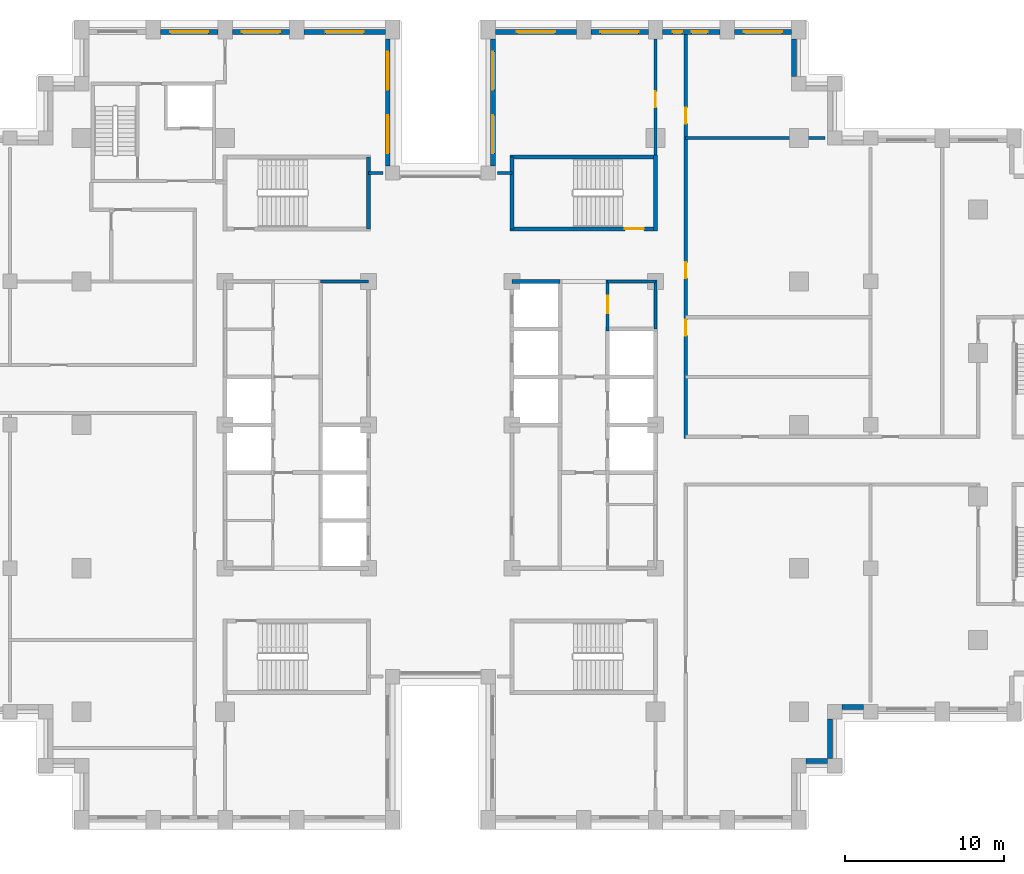
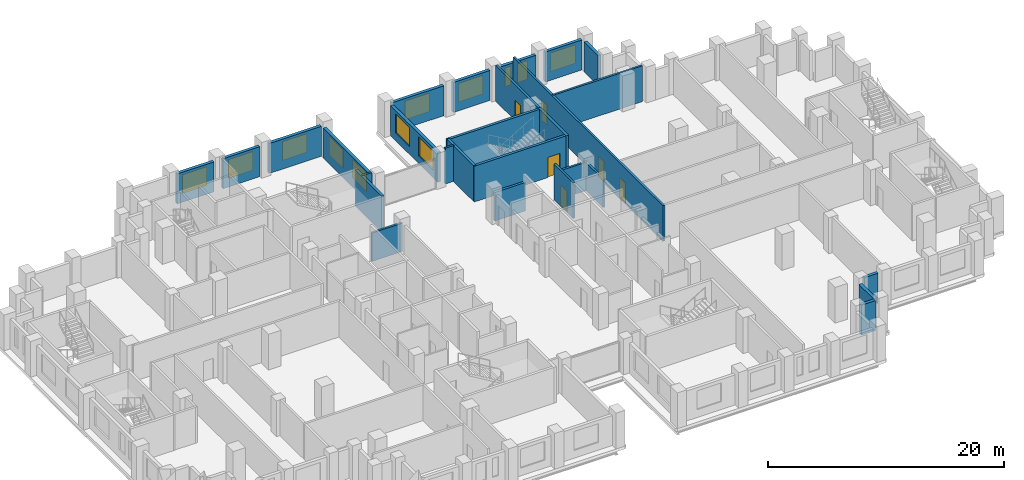
# One storey, part 10 of 15: 28 walls, 12 windows, 6 doors, 18 openings.
"""IFC4 building model written with IfcOpenShell, lengths in metres."""

from ifc_helpers import new_model, si_unit, direction, frame, frame_2d, origin, place, context, subcontext, project, spatial, rectangle, extrude, material, layer, layer_set, type_object, element, fill, save


model = new_model("IFC4")

# Units and contexts
model_context = context("Model", 3, precision=1e-05, world=origin(), true_north=direction((0.0, 1.0)))
body_context = subcontext(model_context, "Body", "Model", "MODEL_VIEW")
ifc_project = project(units=[si_unit("LENGTHUNIT", "METRE"), si_unit("AREAUNIT", "SQUARE_METRE"), si_unit("VOLUMEUNIT", "CUBIC_METRE"), si_unit("PLANEANGLEUNIT", "RADIAN"), si_unit("MASSUNIT", "GRAM", prefix="KILO")], contexts=[model_context])

# Site, building, storey
site_placement = place(None, origin())
site = spatial("IfcSite", under=ifc_project, at=site_placement, CompositionType="ELEMENT")
building_placement = place(site_placement, origin())
building = spatial("IfcBuilding", under=site, at=building_placement, Name="Corbelhall Arena Tower", CompositionType="ELEMENT")
storey_placement = place(building_placement, frame((0.0, 0.0, 88.0)))
storey = spatial("IfcBuildingStorey", under=building, at=storey_placement, Name="L14", CompositionType="ELEMENT", Elevation=88.0)

# Walls
ifc_material_1 = material(Name="Precast concrete C40/50 with granite facing", Category="masonry")
ifc_layer_1 = layer(ifc_material_1, 0.300048828125)
ifc_layer_set_1 = layer_set([ifc_layer_1], Name="EV-IW1 Infill panel 300")
wall_type_1 = type_object("IfcWallType", Name="EV-IW1 Infill panel 300", PredefinedType="SOLIDWALL", material=ifc_layer_set_1)
wall_1_placement = place(storey_placement, frame((22.949951171875, -21.10009765625, 0.0), z_axis=(0.0, 0.0, 1.0), x_axis=(1.0, 0.0, 0.0)))
element("IfcWall", 1, at=wall_1_placement, inside=storey, type_object=wall_type_1, Name="Infill panel IW1", PredefinedType="SOLIDWALL", context=body_context, shape_type="SweptSolid", body=[
    extrude(rectangle(XDim=1.35009765625, YDim=0.300048828125, at=frame_2d((0.675048828125, 0.0))), origin(), (0.0, 0.0, 1.0), 3.10009765625),
])
wall_2_placement = place(storey_placement, frame((24.449951171875, -20.949951171875, 0.0), z_axis=(0.0, 0.0, 1.0), x_axis=(0.0, 1.0, 0.0)))
element("IfcWall", 2, at=wall_2_placement, inside=storey, type_object=wall_type_1, Name="Infill panel IW1", PredefinedType="SOLIDWALL", context=body_context, shape_type="SweptSolid", body=[
    extrude(rectangle(XDim=2.5, YDim=0.300048828125, at=frame_2d((1.25, 0.0))), origin(), (0.0, 0.0, 1.0), 3.10009765625),
])
wall_3_placement = place(storey_placement, frame((25.199951171875, -17.699951171875, 0.0), z_axis=(0.0, 0.0, 1.0), x_axis=(1.0, 0.0, 0.0)))
element("IfcWall", 3, at=wall_3_placement, inside=storey, type_object=wall_type_1, Name="Infill panel IW1", PredefinedType="SOLIDWALL", context=body_context, shape_type="SweptSolid", body=[
    extrude(rectangle(XDim=1.35009765625, YDim=0.300048828125, at=frame_2d((0.675048828125, 0.0))), origin(), (0.0, 0.0, 1.0), 3.10009765625),
])
wall_4_placement = place(storey_placement, frame((22.199951171875, 21.85009765625, 0.0), z_axis=(0.0, 0.0, 1.0), x_axis=(0.0, 1.0, 0.0)))
element("IfcWall", 4, at=wall_4_placement, inside=storey, type_object=wall_type_1, Name="Infill panel IW1", PredefinedType="SOLIDWALL", context=body_context, shape_type="SweptSolid", body=[
    extrude(rectangle(XDim=2.349853515625, YDim=0.300048828125, at=frame_2d((1.1748046875, 0.0))), origin(), (0.0, 0.0, 1.0), 3.10009765625),
])

# Wall, opening, window
wall_5_placement = place(storey_placement, frame((22.050048828125, 24.64990234375, 0.0), z_axis=(0.0, 0.0, 1.0), x_axis=(-1.0, 0.0, 0.0)))
wall_5 = element("IfcWall", 5, at=wall_5_placement, inside=storey, type_object=wall_type_1, Name="Infill panel IW1", PredefinedType="SOLIDWALL", context=body_context, shape_type="SweptSolid", body=[
    extrude(rectangle(XDim=3.60009765625, YDim=0.300048828125, at=frame_2d((1.800048828125, 0.0))), origin(), (0.0, 0.0, 1.0), 3.10009765625),
])
opening_1_placement = place(wall_5_placement, frame((0.60009765625, 0.0, 0.800048828125)))
opening_1 = element("IfcOpeningElement", 6, at=opening_1_placement, cuts=wall_5, Name="Opening WN1", PredefinedType="OPENING", context=body_context, shape_type="SweptSolid", body=[
    extrude(rectangle(XDim=2.39990234375, YDim=1.949951171875, at=frame_2d((1.199951171875, 0.97509765625))), frame((0.0, 0.14990234375, 0.0), z_axis=(0.0, -1.0, 0.0), x_axis=(1.0, 0.0, 0.0)), (0.0, 0.0, 1.0), 0.300048828125),
])
ifc_material_2 = material(Name="Aluminium black anodised", Category="aluminium")
window_type_1 = type_object("IfcWindowType", Name="EV-WN1 Office window", PartitioningType="SINGLE_PANEL", PredefinedType="WINDOW", material=ifc_material_2)
window_1_placement = place(opening_1_placement, origin())
window_1 = element("IfcWindow", 7, at=window_1_placement, inside=storey, type_object=window_type_1, Name="Window WN1", OverallHeight=1.949951171875, OverallWidth=2.39990234375, PartitioningType="SINGLE_PANEL", PredefinedType="WINDOW", context=body_context, shape_type="SweptSolid", body=[
    extrude(rectangle(XDim=2.39990234375, YDim=1.949951171875, at=frame_2d((1.199951171875, 0.97509765625))), frame((0.0, 0.030029296875, 0.0), z_axis=(0.0, -1.0, 0.0), x_axis=(1.0, 0.0, 0.0)), (0.0, 0.0, 1.0), 0.06005859375),
])
fill(opening_1, window_1)

# Wall, openings, windows
wall_6_placement = place(storey_placement, frame((17.550048828125, 24.64990234375, 0.0), z_axis=(0.0, 0.0, 1.0), x_axis=(-1.0, 0.0, 0.0)))
wall_6 = element("IfcWall", 8, at=wall_6_placement, inside=storey, type_object=wall_type_1, Name="Infill panel IW1", PredefinedType="SOLIDWALL", context=body_context, shape_type="SweptSolid", body=[
    extrude(rectangle(XDim=3.60009765625, YDim=0.300048828125, at=frame_2d((1.800048828125, 0.0))), origin(), (0.0, 0.0, 1.0), 3.10009765625),
])
opening_2_placement = place(wall_6_placement, frame((0.77490234375, 0.0, 0.800048828125)))
opening_2 = element("IfcOpeningElement", 9, at=opening_2_placement, cuts=wall_6, Name="Opening WN6", PredefinedType="OPENING", context=body_context, shape_type="SweptSolid", body=[
    extrude(rectangle(XDim=1.0, YDim=1.949951171875, at=frame_2d((0.5, 0.97509765625))), frame((0.0, 0.14990234375, 0.0), z_axis=(0.0, -1.0, 0.0), x_axis=(1.0, 0.0, 0.0)), (0.0, 0.0, 1.0), 0.300048828125),
])
opening_3_placement = place(wall_6_placement, frame((2.375, 0.0, 0.800048828125)))
opening_3 = element("IfcOpeningElement", 10, at=opening_3_placement, cuts=wall_6, Name="Opening WN5", PredefinedType="OPENING", context=body_context, shape_type="SweptSolid", body=[
    extrude(rectangle(XDim=0.60009765625, YDim=1.949951171875, at=frame_2d((0.300048828125, 0.97509765625))), frame((0.0, 0.14990234375, 0.0), z_axis=(0.0, -1.0, 0.0), x_axis=(1.0, 0.0, 0.0)), (0.0, 0.0, 1.0), 0.300048828125),
])
window_type_2 = type_object("IfcWindowType", Name="EV-WN5 Office window 600", PartitioningType="SINGLE_PANEL", PredefinedType="WINDOW", material=ifc_material_2)
window_2_placement = place(opening_3_placement, origin())
window_2 = element("IfcWindow", 11, at=window_2_placement, inside=storey, type_object=window_type_2, Name="Window WN5", OverallHeight=1.949951171875, OverallWidth=0.60009765625, PartitioningType="SINGLE_PANEL", PredefinedType="WINDOW", context=body_context, shape_type="SweptSolid", body=[
    extrude(rectangle(XDim=0.60009765625, YDim=1.949951171875, at=frame_2d((0.300048828125, 0.97509765625))), frame((0.0, 0.030029296875, 0.0), z_axis=(0.0, -1.0, 0.0), x_axis=(1.0, 0.0, 0.0)), (0.0, 0.0, 1.0), 0.06005859375),
])
fill(opening_3, window_2)
window_type_3 = type_object("IfcWindowType", Name="EV-WN6 Office window 1000", PartitioningType="SINGLE_PANEL", PredefinedType="WINDOW", material=ifc_material_2)
window_3_placement = place(opening_2_placement, origin())
window_3 = element("IfcWindow", 12, at=window_3_placement, inside=storey, type_object=window_type_3, Name="Window WN6", OverallHeight=1.949951171875, OverallWidth=1.0, PartitioningType="SINGLE_PANEL", PredefinedType="WINDOW", context=body_context, shape_type="SweptSolid", body=[
    extrude(rectangle(XDim=1.0, YDim=1.949951171875, at=frame_2d((0.5, 0.97509765625))), frame((0.0, 0.030029296875, 0.0), z_axis=(0.0, -1.0, 0.0), x_axis=(1.0, 0.0, 0.0)), (0.0, 0.0, 1.0), 0.06005859375),
])
fill(opening_2, window_3)

# Wall, opening, window
wall_7_placement = place(storey_placement, frame((13.050048828125, 24.64990234375, 0.0), z_axis=(0.0, 0.0, 1.0), x_axis=(-1.0, 0.0, 0.0)))
wall_7 = element("IfcWall", 13, at=wall_7_placement, inside=storey, type_object=wall_type_1, Name="Infill panel IW1", PredefinedType="SOLIDWALL", context=body_context, shape_type="SweptSolid", body=[
    extrude(rectangle(XDim=3.60009765625, YDim=0.300048828125, at=frame_2d((1.800048828125, 0.0))), origin(), (0.0, 0.0, 1.0), 3.10009765625),
])
opening_4_placement = place(wall_7_placement, frame((0.60009765625, 0.0, 0.800048828125)))
opening_4 = element("IfcOpeningElement", 14, at=opening_4_placement, cuts=wall_7, Name="Opening WN1", PredefinedType="OPENING", context=body_context, shape_type="SweptSolid", body=[
    extrude(rectangle(XDim=2.39990234375, YDim=1.949951171875, at=frame_2d((1.199951171875, 0.97509765625))), frame((0.0, 0.14990234375, 0.0), z_axis=(0.0, -1.0, 0.0), x_axis=(1.0, 0.0, 0.0)), (0.0, 0.0, 1.0), 0.300048828125),
])
window_4_placement = place(opening_4_placement, origin())
window_4 = element("IfcWindow", 15, at=window_4_placement, inside=storey, type_object=window_type_1, Name="Window WN1", OverallHeight=1.949951171875, OverallWidth=2.39990234375, PartitioningType="SINGLE_PANEL", PredefinedType="WINDOW", context=body_context, shape_type="SweptSolid", body=[
    extrude(rectangle(XDim=2.39990234375, YDim=1.949951171875, at=frame_2d((1.199951171875, 0.97509765625))), frame((0.0, 0.030029296875, 0.0), z_axis=(0.0, -1.0, 0.0), x_axis=(1.0, 0.0, 0.0)), (0.0, 0.0, 1.0), 0.06005859375),
])
fill(opening_4, window_4)

wall_8_placement = place(storey_placement, frame((8.550048828125, 24.64990234375, 0.0), z_axis=(0.0, 0.0, 1.0), x_axis=(-1.0, 0.0, 0.0)))
wall_8 = element("IfcWall", 16, at=wall_8_placement, inside=storey, type_object=wall_type_1, Name="Infill panel IW1", PredefinedType="SOLIDWALL", context=body_context, shape_type="SweptSolid", body=[
    extrude(rectangle(XDim=5.10009765625, YDim=0.300048828125, at=frame_2d((2.550048828125, 0.0))), origin(), (0.0, 0.0, 1.0), 3.10009765625),
])
opening_5_placement = place(wall_8_placement, frame((1.35009765625, 0.0, 0.800048828125)))
opening_5 = element("IfcOpeningElement", 17, at=opening_5_placement, cuts=wall_8, Name="Opening WN1", PredefinedType="OPENING", context=body_context, shape_type="SweptSolid", body=[
    extrude(rectangle(XDim=2.39990234375, YDim=1.949951171875, at=frame_2d((1.199951171875, 0.97509765625))), frame((0.0, 0.14990234375, 0.0), z_axis=(0.0, -1.0, 0.0), x_axis=(1.0, 0.0, 0.0)), (0.0, 0.0, 1.0), 0.300048828125),
])
window_5_placement = place(opening_5_placement, origin())
window_5 = element("IfcWindow", 18, at=window_5_placement, inside=storey, type_object=window_type_1, Name="Window WN1", OverallHeight=1.949951171875, OverallWidth=2.39990234375, PartitioningType="SINGLE_PANEL", PredefinedType="WINDOW", context=body_context, shape_type="SweptSolid", body=[
    extrude(rectangle(XDim=2.39990234375, YDim=1.949951171875, at=frame_2d((1.199951171875, 0.97509765625))), frame((0.0, 0.030029296875, 0.0), z_axis=(0.0, -1.0, 0.0), x_axis=(1.0, 0.0, 0.0)), (0.0, 0.0, 1.0), 0.06005859375),
])
fill(opening_5, window_5)

# Wall, openings, windows
wall_9_placement = place(storey_placement, frame((3.300048828125, 24.199951171875, 0.0), z_axis=(0.0, 0.0, 1.0), x_axis=(0.0, -1.0, 0.0)))
wall_9 = element("IfcWall", 19, at=wall_9_placement, inside=storey, type_object=wall_type_1, Name="Infill panel IW1", PredefinedType="SOLIDWALL", context=body_context, shape_type="SweptSolid", body=[
    extrude(rectangle(XDim=7.949951171875, YDim=0.300048828125, at=frame_2d((3.97509765625, 0.0))), origin(), (0.0, 0.0, 1.0), 3.10009765625),
])
opening_6_placement = place(wall_9_placement, frame((0.78759765625, 0.0, 0.800048828125)))
opening_6 = element("IfcOpeningElement", 20, at=opening_6_placement, cuts=wall_9, Name="Opening WN1", PredefinedType="OPENING", context=body_context, shape_type="SweptSolid", body=[
    extrude(rectangle(XDim=2.39990234375, YDim=1.949951171875, at=frame_2d((1.199951171875, 0.97509765625))), frame((0.0, 0.14990234375, 0.0), z_axis=(0.0, -1.0, 0.0), x_axis=(1.0, 0.0, 0.0)), (0.0, 0.0, 1.0), 0.300048828125),
])
opening_7_placement = place(wall_9_placement, frame((4.762451171875, 0.0, 0.800048828125)))
opening_7 = element("IfcOpeningElement", 21, at=opening_7_placement, cuts=wall_9, Name="Opening WN1", PredefinedType="OPENING", context=body_context, shape_type="SweptSolid", body=[
    extrude(rectangle(XDim=2.39990234375, YDim=1.949951171875, at=frame_2d((1.199951171875, 0.97509765625))), frame((0.0, 0.14990234375, 0.0), z_axis=(0.0, -1.0, 0.0), x_axis=(1.0, 0.0, 0.0)), (0.0, 0.0, 1.0), 0.300048828125),
])
window_6_placement = place(opening_6_placement, origin())
window_6 = element("IfcWindow", 22, at=window_6_placement, inside=storey, type_object=window_type_1, Name="Window WN1", OverallHeight=1.949951171875, OverallWidth=2.39990234375, PartitioningType="SINGLE_PANEL", PredefinedType="WINDOW", context=body_context, shape_type="SweptSolid", body=[
    extrude(rectangle(XDim=2.39990234375, YDim=1.949951171875, at=frame_2d((1.199951171875, 0.97509765625))), frame((0.0, 0.030029296875, 0.0), z_axis=(0.0, -1.0, 0.0), x_axis=(1.0, 0.0, 0.0)), (0.0, 0.0, 1.0), 0.06005859375),
])
fill(opening_6, window_6)
window_7_placement = place(opening_7_placement, origin())
window_7 = element("IfcWindow", 23, at=window_7_placement, inside=storey, type_object=window_type_1, Name="Window WN1", OverallHeight=1.949951171875, OverallWidth=2.39990234375, PartitioningType="SINGLE_PANEL", PredefinedType="WINDOW", context=body_context, shape_type="SweptSolid", body=[
    extrude(rectangle(XDim=2.39990234375, YDim=1.949951171875, at=frame_2d((1.199951171875, 0.97509765625))), frame((0.0, 0.030029296875, 0.0), z_axis=(0.0, -1.0, 0.0), x_axis=(1.0, 0.0, 0.0)), (0.0, 0.0, 1.0), 0.06005859375),
])
fill(opening_7, window_7)

wall_10_placement = place(storey_placement, frame((-3.300048828125, 16.25, 0.0), z_axis=(0.0, 0.0, 1.0), x_axis=(0.0, 1.0, 0.0)))
wall_10 = element("IfcWall", 24, at=wall_10_placement, inside=storey, type_object=wall_type_1, Name="Infill panel IW1", PredefinedType="SOLIDWALL", context=body_context, shape_type="SweptSolid", body=[
    extrude(rectangle(XDim=7.949951171875, YDim=0.300048828125, at=frame_2d((3.97509765625, 0.0))), origin(), (0.0, 0.0, 1.0), 3.10009765625),
])
opening_8_placement = place(wall_10_placement, frame((0.78759765625, 0.0, 0.800048828125)))
opening_8 = element("IfcOpeningElement", 25, at=opening_8_placement, cuts=wall_10, Name="Opening WN1", PredefinedType="OPENING", context=body_context, shape_type="SweptSolid", body=[
    extrude(rectangle(XDim=2.39990234375, YDim=1.949951171875, at=frame_2d((1.199951171875, 0.97509765625))), frame((0.0, 0.14990234375, 0.0), z_axis=(0.0, -1.0, 0.0), x_axis=(1.0, 0.0, 0.0)), (0.0, 0.0, 1.0), 0.300048828125),
])
opening_9_placement = place(wall_10_placement, frame((4.762451171875, 0.0, 0.800048828125)))
opening_9 = element("IfcOpeningElement", 26, at=opening_9_placement, cuts=wall_10, Name="Opening WN1", PredefinedType="OPENING", context=body_context, shape_type="SweptSolid", body=[
    extrude(rectangle(XDim=2.39990234375, YDim=1.949951171875, at=frame_2d((1.199951171875, 0.97509765625))), frame((0.0, 0.14990234375, 0.0), z_axis=(0.0, -1.0, 0.0), x_axis=(1.0, 0.0, 0.0)), (0.0, 0.0, 1.0), 0.300048828125),
])
window_8_placement = place(opening_8_placement, origin())
window_8 = element("IfcWindow", 27, at=window_8_placement, inside=storey, type_object=window_type_1, Name="Window WN1", OverallHeight=1.949951171875, OverallWidth=2.39990234375, PartitioningType="SINGLE_PANEL", PredefinedType="WINDOW", context=body_context, shape_type="SweptSolid", body=[
    extrude(rectangle(XDim=2.39990234375, YDim=1.949951171875, at=frame_2d((1.199951171875, 0.97509765625))), frame((0.0, 0.030029296875, 0.0), z_axis=(0.0, -1.0, 0.0), x_axis=(1.0, 0.0, 0.0)), (0.0, 0.0, 1.0), 0.06005859375),
])
fill(opening_8, window_8)
window_9_placement = place(opening_9_placement, origin())
window_9 = element("IfcWindow", 28, at=window_9_placement, inside=storey, type_object=window_type_1, Name="Window WN1", OverallHeight=1.949951171875, OverallWidth=2.39990234375, PartitioningType="SINGLE_PANEL", PredefinedType="WINDOW", context=body_context, shape_type="SweptSolid", body=[
    extrude(rectangle(XDim=2.39990234375, YDim=1.949951171875, at=frame_2d((1.199951171875, 0.97509765625))), frame((0.0, 0.030029296875, 0.0), z_axis=(0.0, -1.0, 0.0), x_axis=(1.0, 0.0, 0.0)), (0.0, 0.0, 1.0), 0.06005859375),
])
fill(opening_9, window_9)

# Wall, opening, window
wall_11_placement = place(storey_placement, frame((-3.449951171875, 24.64990234375, 0.0), z_axis=(0.0, 0.0, 1.0), x_axis=(-1.0, 0.0, 0.0)))
wall_11 = element("IfcWall", 29, at=wall_11_placement, inside=storey, type_object=wall_type_1, Name="Infill panel IW1", PredefinedType="SOLIDWALL", context=body_context, shape_type="SweptSolid", body=[
    extrude(rectangle(XDim=5.10009765625, YDim=0.300048828125, at=frame_2d((2.550048828125, 0.0))), origin(), (0.0, 0.0, 1.0), 3.10009765625),
])
opening_10_placement = place(wall_11_placement, frame((1.35009765625, 0.0, 0.800048828125)))
opening_10 = element("IfcOpeningElement", 30, at=opening_10_placement, cuts=wall_11, Name="Opening WN1", PredefinedType="OPENING", context=body_context, shape_type="SweptSolid", body=[
    extrude(rectangle(XDim=2.39990234375, YDim=1.949951171875, at=frame_2d((1.199951171875, 0.97509765625))), frame((0.0, 0.14990234375, 0.0), z_axis=(0.0, -1.0, 0.0), x_axis=(1.0, 0.0, 0.0)), (0.0, 0.0, 1.0), 0.300048828125),
])
window_10_placement = place(opening_10_placement, origin())
window_10 = element("IfcWindow", 31, at=window_10_placement, inside=storey, type_object=window_type_1, Name="Window WN1", OverallHeight=1.949951171875, OverallWidth=2.39990234375, PartitioningType="SINGLE_PANEL", PredefinedType="WINDOW", context=body_context, shape_type="SweptSolid", body=[
    extrude(rectangle(XDim=2.39990234375, YDim=1.949951171875, at=frame_2d((1.199951171875, 0.97509765625))), frame((0.0, 0.030029296875, 0.0), z_axis=(0.0, -1.0, 0.0), x_axis=(1.0, 0.0, 0.0)), (0.0, 0.0, 1.0), 0.06005859375),
])
fill(opening_10, window_10)

wall_12_placement = place(storey_placement, frame((-9.449951171875, 24.64990234375, 0.0), z_axis=(0.0, 0.0, 1.0), x_axis=(-1.0, 0.0, 0.0)))
wall_12 = element("IfcWall", 32, at=wall_12_placement, inside=storey, type_object=wall_type_1, Name="Infill panel IW1", PredefinedType="SOLIDWALL", context=body_context, shape_type="SweptSolid", body=[
    extrude(rectangle(XDim=3.60009765625, YDim=0.300048828125, at=frame_2d((1.800048828125, 0.0))), origin(), (0.0, 0.0, 1.0), 3.10009765625),
])
opening_11_placement = place(wall_12_placement, frame((0.60009765625, 0.0, 0.800048828125)))
opening_11 = element("IfcOpeningElement", 33, at=opening_11_placement, cuts=wall_12, Name="Opening WN1", PredefinedType="OPENING", context=body_context, shape_type="SweptSolid", body=[
    extrude(rectangle(XDim=2.39990234375, YDim=1.949951171875, at=frame_2d((1.199951171875, 0.97509765625))), frame((0.0, 0.14990234375, 0.0), z_axis=(0.0, -1.0, 0.0), x_axis=(1.0, 0.0, 0.0)), (0.0, 0.0, 1.0), 0.300048828125),
])
window_11_placement = place(opening_11_placement, origin())
window_11 = element("IfcWindow", 34, at=window_11_placement, inside=storey, type_object=window_type_1, Name="Window WN1", OverallHeight=1.949951171875, OverallWidth=2.39990234375, PartitioningType="SINGLE_PANEL", PredefinedType="WINDOW", context=body_context, shape_type="SweptSolid", body=[
    extrude(rectangle(XDim=2.39990234375, YDim=1.949951171875, at=frame_2d((1.199951171875, 0.97509765625))), frame((0.0, 0.030029296875, 0.0), z_axis=(0.0, -1.0, 0.0), x_axis=(1.0, 0.0, 0.0)), (0.0, 0.0, 1.0), 0.06005859375),
])
fill(opening_11, window_11)

wall_13_placement = place(storey_placement, frame((-13.949951171875, 24.64990234375, 0.0), z_axis=(0.0, 0.0, 1.0), x_axis=(-1.0, 0.0, 0.0)))
wall_13 = element("IfcWall", 35, at=wall_13_placement, inside=storey, type_object=wall_type_1, Name="Infill panel IW1", PredefinedType="SOLIDWALL", context=body_context, shape_type="SweptSolid", body=[
    extrude(rectangle(XDim=3.60009765625, YDim=0.300048828125, at=frame_2d((1.800048828125, 0.0))), origin(), (0.0, 0.0, 1.0), 3.10009765625),
])
opening_12_placement = place(wall_13_placement, frame((0.60009765625, 0.0, 0.800048828125)))
opening_12 = element("IfcOpeningElement", 36, at=opening_12_placement, cuts=wall_13, Name="Opening WN1", PredefinedType="OPENING", context=body_context, shape_type="SweptSolid", body=[
    extrude(rectangle(XDim=2.39990234375, YDim=1.949951171875, at=frame_2d((1.199951171875, 0.97509765625))), frame((0.0, 0.14990234375, 0.0), z_axis=(0.0, -1.0, 0.0), x_axis=(1.0, 0.0, 0.0)), (0.0, 0.0, 1.0), 0.300048828125),
])
window_12_placement = place(opening_12_placement, origin())
window_12 = element("IfcWindow", 37, at=window_12_placement, inside=storey, type_object=window_type_1, Name="Window WN1", OverallHeight=1.949951171875, OverallWidth=2.39990234375, PartitioningType="SINGLE_PANEL", PredefinedType="WINDOW", context=body_context, shape_type="SweptSolid", body=[
    extrude(rectangle(XDim=2.39990234375, YDim=1.949951171875, at=frame_2d((1.199951171875, 0.97509765625))), frame((0.0, 0.030029296875, 0.0), z_axis=(0.0, -1.0, 0.0), x_axis=(1.0, 0.0, 0.0)), (0.0, 0.0, 1.0), 0.06005859375),
])
fill(opening_12, window_12)

# Walls
ifc_material_3 = material(Name="Gypsum board on steel stud, acoustic", Category="steel")
ifc_layer_2 = layer(ifc_material_3, 0.199951171875)
ifc_layer_set_2 = layer_set([ifc_layer_2], Name="IN-W-DM200")
wall_type_2 = type_object("IfcWallType", Name="IN-W-DM200", PredefinedType="PARTITIONING", material=ifc_layer_set_2)
for number, where, z_axis, x_axis, name in (
    (38, (-4.5, 15.800048828125, 0.0), (0.0, 0.0, 1.0), (1.0, 0.0, 0.0), "Partition 022"),
    (39, (3.60009765625, 15.800048828125, 0.0), (0.0, 0.0, 1.0), (1.0, 0.0, 0.0), "Partition 024"),
):
    element("IfcWall", number, at=place(storey_placement, frame(where, z_axis=z_axis, x_axis=x_axis)), inside=storey, type_object=wall_type_2, Name=name, PredefinedType="PARTITIONING", context=body_context, shape_type="SweptSolid", body=[
        extrude(rectangle(XDim=0.89990234375, YDim=0.199951171875, at=frame_2d((0.449951171875, 0.0))), origin(), (0.0, 0.0, 1.0), 3.699951171875),
    ])

# Wall, opening, door
wall_14_placement = place(storey_placement, frame((13.5, 16.675048828125, 0.0), z_axis=(0.0, 0.0, 1.0), x_axis=(0.0, 1.0, 0.0)))
wall_14 = element("IfcWall", 40, at=wall_14_placement, inside=storey, type_object=wall_type_2, Name="Partition 027", PredefinedType="PARTITIONING", context=body_context, shape_type="SweptSolid", body=[
    extrude(rectangle(XDim=7.52490234375, YDim=0.199951171875, at=frame_2d((3.762451171875, 0.0))), origin(), (0.0, 0.0, 1.0), 3.699951171875),
])
opening_13_placement = place(wall_14_placement, frame((3.25, 0.0, 0.0)))
opening_13 = element("IfcOpeningElement", 41, at=opening_13_placement, cuts=wall_14, Name="Opening 02023", PredefinedType="OPENING", context=body_context, shape_type="SweptSolid", body=[
    extrude(rectangle(XDim=1.0, YDim=2.10009765625, at=frame_2d((0.5, 1.050048828125))), frame((0.0, 0.10009765625, 0.0), z_axis=(0.0, -1.0, 0.0), x_axis=(1.0, 0.0, 0.0)), (0.0, 0.0, 1.0), 0.199951171875),
])
ifc_material_4 = material(Name="Steel door set", Category="steel")
door_type_1 = type_object("IfcDoorType", Name="IN-D-SW100", OperationType="NOTDEFINED", PredefinedType="DOOR", material=ifc_material_4)
door_1_placement = place(opening_13_placement, origin())
door_1 = element("IfcDoor", 42, at=door_1_placement, inside=storey, type_object=door_type_1, Name="Door 023", OperationType="SINGLE_SWING_RIGHT", OverallHeight=2.10009765625, OverallWidth=1.0, PredefinedType="DOOR", context=body_context, shape_type="SweptSolid", body=[
    extrude(rectangle(XDim=1.0, YDim=2.10009765625, at=frame_2d((0.5, 1.050048828125))), frame((0.0, 0.02490234375, 0.0), z_axis=(0.0, -1.0, 0.0), x_axis=(1.0, 0.0, 0.0)), (0.0, 0.0, 1.0), 0.050048828125),
])
fill(opening_13, door_1)

# Wall, openings, doors
wall_15_placement = place(storey_placement, frame((15.39990234375, 24.5, 0.0), z_axis=(0.0, 0.0, 1.0), x_axis=(0.0, -1.0, 0.0)))
wall_15 = element("IfcWall", 43, at=wall_15_placement, inside=storey, type_object=wall_type_2, Name="Partition 031", PredefinedType="PARTITIONING", context=body_context, shape_type="SweptSolid", body=[
    extrude(rectangle(XDim=25.35009765625, YDim=0.199951171875, at=frame_2d((12.675048828125, 0.0))), origin(), (0.0, 0.0, 1.0), 3.699951171875),
])
opening_14_placement = place(wall_15_placement, frame((17.89990234375, 0.0, 0.0)))
opening_14 = element("IfcOpeningElement", 44, at=opening_14_placement, cuts=wall_15, Name="Opening 02033", PredefinedType="OPENING", context=body_context, shape_type="SweptSolid", body=[
    extrude(rectangle(XDim=1.0, YDim=2.10009765625, at=frame_2d((0.5, 1.050048828125))), frame((0.0, 0.10009765625, 0.0), z_axis=(0.0, -1.0, 0.0), x_axis=(1.0, 0.0, 0.0)), (0.0, 0.0, 1.0), 0.199951171875),
])
opening_15_placement = place(wall_15_placement, frame((14.300048828125, 0.0, 0.0)))
opening_15 = element("IfcOpeningElement", 45, at=opening_15_placement, cuts=wall_15, Name="Opening 02034", PredefinedType="OPENING", context=body_context, shape_type="SweptSolid", body=[
    extrude(rectangle(XDim=1.0, YDim=2.10009765625, at=frame_2d((0.5, 1.050048828125))), frame((0.0, 0.10009765625, 0.0), z_axis=(0.0, -1.0, 0.0), x_axis=(1.0, 0.0, 0.0)), (0.0, 0.0, 1.0), 0.199951171875),
])
opening_16_placement = place(wall_15_placement, frame((4.60009765625, 0.0, 0.0)))
opening_16 = element("IfcOpeningElement", 46, at=opening_16_placement, cuts=wall_15, Name="Opening 02035", PredefinedType="OPENING", context=body_context, shape_type="SweptSolid", body=[
    extrude(rectangle(XDim=1.0, YDim=2.10009765625, at=frame_2d((0.5, 1.050048828125))), frame((0.0, 0.10009765625, 0.0), z_axis=(0.0, -1.0, 0.0), x_axis=(1.0, 0.0, 0.0)), (0.0, 0.0, 1.0), 0.199951171875),
])
door_2_placement = place(opening_14_placement, origin())
door_2 = element("IfcDoor", 47, at=door_2_placement, inside=storey, type_object=door_type_1, Name="Door 033", OperationType="SINGLE_SWING_RIGHT", OverallHeight=2.10009765625, OverallWidth=1.0, PredefinedType="DOOR", context=body_context, shape_type="SweptSolid", body=[
    extrude(rectangle(XDim=1.0, YDim=2.10009765625, at=frame_2d((0.5, 1.050048828125))), frame((0.0, 0.02490234375, 0.0), z_axis=(0.0, -1.0, 0.0), x_axis=(1.0, 0.0, 0.0)), (0.0, 0.0, 1.0), 0.050048828125),
])
fill(opening_14, door_2)
door_3_placement = place(opening_15_placement, origin())
door_3 = element("IfcDoor", 48, at=door_3_placement, inside=storey, type_object=door_type_1, Name="Door 034", OperationType="SINGLE_SWING_LEFT", OverallHeight=2.10009765625, OverallWidth=1.0, PredefinedType="DOOR", context=body_context, shape_type="SweptSolid", body=[
    extrude(rectangle(XDim=1.0, YDim=2.10009765625, at=frame_2d((0.5, 1.050048828125))), frame((0.0, 0.02490234375, 0.0), z_axis=(0.0, -1.0, 0.0), x_axis=(1.0, 0.0, 0.0)), (0.0, 0.0, 1.0), 0.050048828125),
])
fill(opening_15, door_3)
door_4_placement = place(opening_16_placement, origin())
door_4 = element("IfcDoor", 49, at=door_4_placement, inside=storey, type_object=door_type_1, Name="Door 035", OperationType="SINGLE_SWING_RIGHT", OverallHeight=2.10009765625, OverallWidth=1.0, PredefinedType="DOOR", context=body_context, shape_type="SweptSolid", body=[
    extrude(rectangle(XDim=1.0, YDim=2.10009765625, at=frame_2d((0.5, 1.050048828125))), frame((0.0, 0.02490234375, 0.0), z_axis=(0.0, -1.0, 0.0), x_axis=(1.0, 0.0, 0.0)), (0.0, 0.0, 1.0), 0.050048828125),
])
fill(opening_16, door_4)

# Wall
wall_16_placement = place(storey_placement, frame((15.39990234375, 18.0, 0.0), z_axis=(0.0, 0.0, 1.0), x_axis=(1.0, 0.0, 0.0)))
element("IfcWall", 50, at=wall_16_placement, inside=storey, type_object=wall_type_2, Name="Partition 033", PredefinedType="PARTITIONING", context=body_context, shape_type="SweptSolid", body=[
    extrude(rectangle(XDim=8.75, YDim=0.199951171875, at=frame_2d((4.375, 0.0))), origin(), (0.0, 0.0, 1.0), 3.699951171875),
])

# Wall, opening, door
ifc_material_5 = material(Name="Concrete block wall", Category="concrete")
ifc_layer_3 = layer(ifc_material_5, 0.199951171875)
ifc_layer_set_3 = layer_set([ifc_layer_3], Name="IN-W-RS200")
wall_type_3 = type_object("IfcWallType", Name="IN-W-RS200", PredefinedType="SOLIDWALL", material=ifc_layer_set_3)
wall_17_placement = place(storey_placement, frame((10.5, 9.10009765625, 0.0), z_axis=(0.0, 0.0, 1.0), x_axis=(0.0, -1.0, 0.0)))
wall_17 = element("IfcWall", 51, at=wall_17_placement, inside=storey, type_object=wall_type_3, Name="Partition 055", PredefinedType="SOLIDWALL", context=body_context, shape_type="SweptSolid", body=[
    extrude(rectangle(XDim=3.22509765625, YDim=0.199951171875, at=frame_2d((1.612548828125, 0.0))), origin(), (0.0, 0.0, 1.0), 3.699951171875),
])
opening_17_placement = place(wall_17_placement, frame((1.0, 0.0, 0.0)))
opening_17 = element("IfcOpeningElement", 52, at=opening_17_placement, cuts=wall_17, Name="Opening 02013", PredefinedType="OPENING", context=body_context, shape_type="SweptSolid", body=[
    extrude(rectangle(XDim=1.10009765625, YDim=2.10009765625, at=frame_2d((0.550048828125, 1.050048828125))), frame((0.0, 0.10009765625, 0.0), z_axis=(0.0, -1.0, 0.0), x_axis=(1.0, 0.0, 0.0)), (0.0, 0.0, 1.0), 0.199951171875),
])
door_type_2 = type_object("IfcDoorType", Name="IN-D-FD110", OperationType="NOTDEFINED", PredefinedType="DOOR", material=ifc_material_4)
door_5_placement = place(opening_17_placement, origin())
door_5 = element("IfcDoor", 53, at=door_5_placement, inside=storey, type_object=door_type_2, Name="Door 013", OperationType="SINGLE_SWING_RIGHT", OverallHeight=2.10009765625, OverallWidth=1.10009765625, PredefinedType="DOOR", context=body_context, shape_type="SweptSolid", body=[
    extrude(rectangle(XDim=1.10009765625, YDim=2.10009765625, at=frame_2d((0.550048828125, 1.050048828125))), frame((0.0, 0.02490234375, 0.0), z_axis=(0.0, -1.0, 0.0), x_axis=(1.0, 0.0, 0.0)), (0.0, 0.0, 1.0), 0.050048828125),
])
fill(opening_17, door_5)

# Walls
ifc_layer_4 = layer(ifc_material_5, 0.199951171875)
ifc_layer_set_4 = layer_set([ifc_layer_4], Name="IN-W-RS200 under beam 762 mm")
wall_type_4 = type_object("IfcWallType", Name="IN-W-RS200 under beam 762 mm", PredefinedType="SOLIDWALL", material=ifc_layer_set_4)
for number, where, z_axis, x_axis, name in (
    (54, (-7.5, 9.0, 0.0), (0.0, 0.0, 1.0), (1.0, 0.0, 0.0), "Partition 048"),
    (55, (10.5, 9.0, 0.0), (0.0, 0.0, 1.0), (1.0, 0.0, 0.0), "Partition 054"),
):
    element("IfcWall", number, at=place(storey_placement, frame(where, z_axis=z_axis, x_axis=x_axis)), inside=storey, type_object=wall_type_4, Name=name, PredefinedType="SOLIDWALL", context=body_context, shape_type="SweptSolid", body=[
        extrude(rectangle(XDim=3.0, YDim=0.199951171875, at=frame_2d((1.5, 0.0))), origin(), (0.0, 0.0, 1.0), 2.93798828125),
    ])
wall_18_placement = place(storey_placement, frame((13.5, 9.10009765625, 0.0), z_axis=(0.0, 0.0, 1.0), x_axis=(0.0, -1.0, 0.0)))
element("IfcWall", 56, at=wall_18_placement, inside=storey, type_object=wall_type_4, Name="Partition 057", PredefinedType="SOLIDWALL", context=body_context, shape_type="SweptSolid", body=[
    extrude(rectangle(XDim=3.10009765625, YDim=0.199951171875, at=frame_2d((1.550048828125, 0.0))), origin(), (0.0, 0.0, 1.0), 2.93798828125),
])
ifc_material_6 = material(Name="Concrete C40/50", Category="concrete")
ifc_layer_5 = layer(ifc_material_6, 0.25)
ifc_layer_set_5 = layer_set([ifc_layer_5], Name="IN-W-SH250 under beam 762 mm")
wall_type_5 = type_object("IfcWallType", Name="IN-W-SH250 under beam 762 mm", PredefinedType="SOLIDWALL", material=ifc_layer_set_5)
wall_19_placement = place(storey_placement, frame((4.5, 9.0, 0.0), z_axis=(0.0, 0.0, 1.0), x_axis=(1.0, 0.0, 0.0)))
element("IfcWall", 57, at=wall_19_placement, inside=storey, type_object=wall_type_5, Name="Shaft wall 072", PredefinedType="SOLIDWALL", context=body_context, shape_type="SweptSolid", body=[
    extrude(rectangle(XDim=3.0, YDim=0.25, at=frame_2d((1.5, 0.0))), origin(), (0.0, 0.0, 1.0), 2.93798828125),
])
ifc_layer_6 = layer(ifc_material_6, 0.25)
ifc_layer_set_6 = layer_set([ifc_layer_6], Name="IN-W-ST250")
wall_type_6 = type_object("IfcWallType", Name="IN-W-ST250", PredefinedType="SOLIDWALL", material=ifc_layer_set_6)
wall_20_placement = place(storey_placement, frame((-4.5, 16.800048828125, 0.0), z_axis=(0.0, 0.0, 1.0), x_axis=(0.0, -1.0, 0.0)))
element("IfcWall", 58, at=wall_20_placement, inside=storey, type_object=wall_type_6, Name="Shaft wall 091", PredefinedType="SOLIDWALL", context=body_context, shape_type="SweptSolid", body=[
    extrude(rectangle(XDim=4.5, YDim=0.25, at=frame_2d((2.25, 0.0))), origin(), (0.0, 0.0, 1.0), 3.699951171875),
])

# Wall, opening, door
wall_21_placement = place(storey_placement, frame((4.375, 12.300048828125, 0.0), z_axis=(0.0, 0.0, 1.0), x_axis=(1.0, 0.0, 0.0)))
wall_21 = element("IfcWall", 59, at=wall_21_placement, inside=storey, type_object=wall_type_6, Name="Shaft wall 093", PredefinedType="SOLIDWALL", context=body_context, shape_type="SweptSolid", body=[
    extrude(rectangle(XDim=9.125, YDim=0.25, at=frame_2d((4.5625, 0.0))), origin(), (0.0, 0.0, 1.0), 3.699951171875),
])
opening_18_placement = place(wall_21_placement, frame((7.199951171875, 0.0, 0.0)))
opening_18 = element("IfcOpeningElement", 60, at=opening_18_placement, cuts=wall_21, Name="Opening 02016", PredefinedType="OPENING", context=body_context, shape_type="SweptSolid", body=[
    extrude(rectangle(XDim=1.199951171875, YDim=2.10009765625, at=frame_2d((0.60009765625, 1.050048828125))), frame((0.0, 0.125, 0.0), z_axis=(0.0, -1.0, 0.0), x_axis=(1.0, 0.0, 0.0)), (0.0, 0.0, 1.0), 0.25),
])
door_type_3 = type_object("IfcDoorType", Name="IN-D-ST120", OperationType="NOTDEFINED", PredefinedType="DOOR", material=ifc_material_4)
door_6_placement = place(opening_18_placement, origin())
door_6 = element("IfcDoor", 61, at=door_6_placement, inside=storey, type_object=door_type_3, Name="Door 016", OperationType="SINGLE_SWING_LEFT", OverallHeight=2.10009765625, OverallWidth=1.199951171875, PredefinedType="DOOR", context=body_context, shape_type="SweptSolid", body=[
    extrude(rectangle(XDim=1.199951171875, YDim=2.10009765625, at=frame_2d((0.60009765625, 1.050048828125))), frame((0.0, 0.02490234375, 0.0), z_axis=(0.0, -1.0, 0.0), x_axis=(1.0, 0.0, 0.0)), (0.0, 0.0, 1.0), 0.050048828125),
])
fill(opening_18, door_6)

# Walls
wall_22_placement = place(storey_placement, frame((4.375, 16.800048828125, 0.0), z_axis=(0.0, 0.0, 1.0), x_axis=(1.0, 0.0, 0.0)))
element("IfcWall", 62, at=wall_22_placement, inside=storey, type_object=wall_type_6, Name="Shaft wall 094", PredefinedType="SOLIDWALL", context=body_context, shape_type="SweptSolid", body=[
    extrude(rectangle(XDim=9.125, YDim=0.25, at=frame_2d((4.5625, 0.0))), origin(), (0.0, 0.0, 1.0), 3.699951171875),
])
wall_23_placement = place(storey_placement, frame((4.5, 12.300048828125, 0.0), z_axis=(0.0, 0.0, 1.0), x_axis=(0.0, 1.0, 0.0)))
element("IfcWall", 63, at=wall_23_placement, inside=storey, type_object=wall_type_6, Name="Shaft wall 096", PredefinedType="SOLIDWALL", context=body_context, shape_type="SweptSolid", body=[
    extrude(rectangle(XDim=4.5, YDim=0.25, at=frame_2d((2.25, 0.0))), origin(), (0.0, 0.0, 1.0), 3.699951171875),
])
wall_24_placement = place(storey_placement, frame((13.5, 12.175048828125, 0.0), z_axis=(0.0, 0.0, 1.0), x_axis=(0.0, 1.0, 0.0)))
element("IfcWall", 64, at=wall_24_placement, inside=storey, type_object=wall_type_6, Name="Shaft wall 100", PredefinedType="SOLIDWALL", context=body_context, shape_type="SweptSolid", body=[
    extrude(rectangle(XDim=4.75, YDim=0.25, at=frame_2d((2.375, 0.0))), origin(), (0.0, 0.0, 1.0), 3.699951171875),
])

save(model, "model.ifc")
